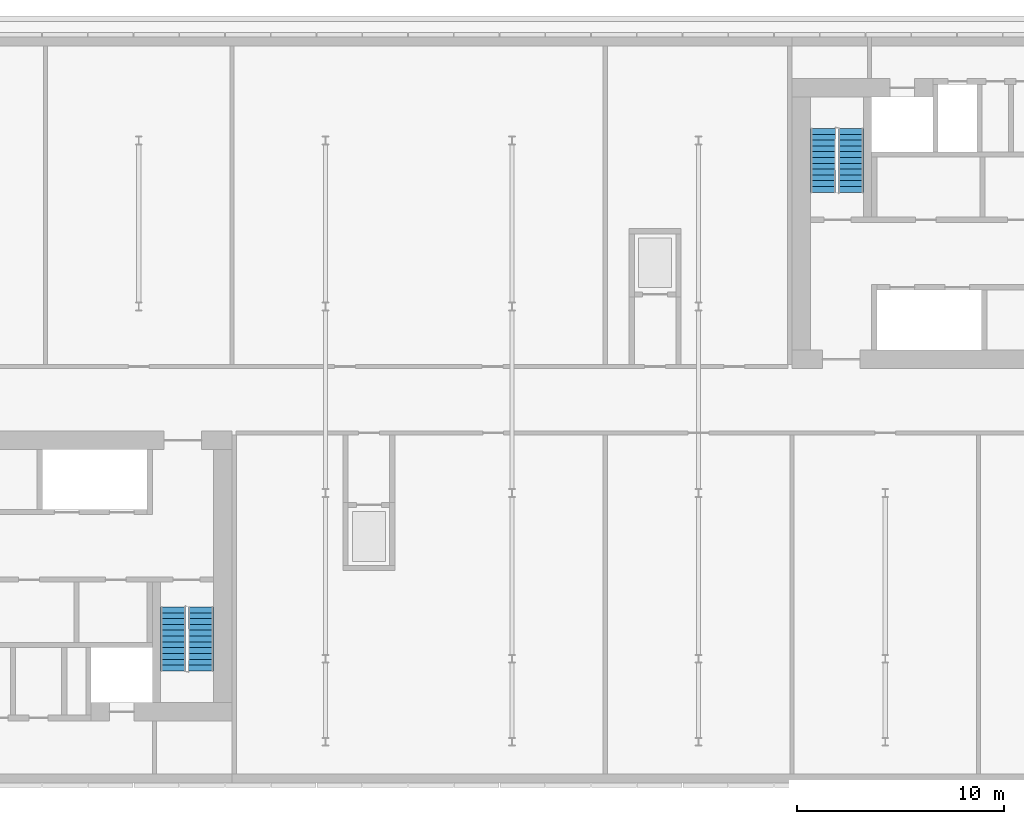
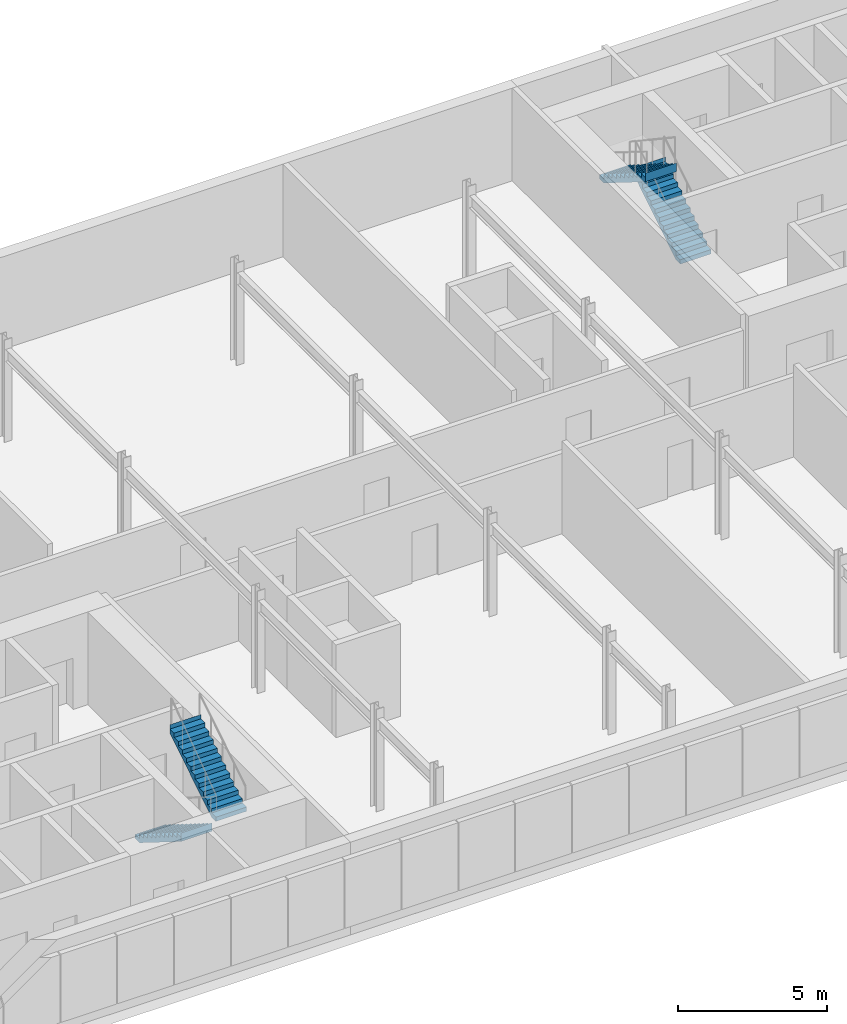
# One storey, part 8 of 10: 4 stair flights, 2 elements without a shape of their own.
"""IFC4 building model written with IfcOpenShell, lengths in metres."""

import ifcopenshell
import ifcopenshell.guid

model = None  # the IFC model being written
_history = None  # IfcOwnerHistory: only IFC2X3 demands one
_inside = {}  # id of a spatial element -> (the spatial element, [elements in it])
_under = {}  # id of a project, library or spatial element -> (it, [spatial elements below it])
_declared = {}  # id of a project -> (the project, [libraries it declares])
_typed = {}  # id of a type object -> (the type object, [elements of that type])
_made_of = {}  # id of a material, layer set ... -> (it, [elements and type objects made of it])


def new_model(schema):
    """Start an empty IFC model of exactly this schema.

    Asked for "IFC4X3", IfcOpenShell would pick the latest addendum, in which some entities
    have other attributes; the version numbers below select the first issue.
    IFC2X3 requires an IfcOwnerHistory on every rooted entity: one is made here for all.
    """
    global model, _history
    if schema == "IFC4X3":
        model = ifcopenshell.file(schema_version=(4, 3, 0, 0))
    else:
        model = ifcopenshell.file(schema=schema)
    _inside.clear()
    _under.clear()
    _declared.clear()
    _typed.clear()
    _made_of.clear()
    _history = None
    if model.schema == "IFC2X3":
        org = make("IfcOrganization", Name="unknown")
        user = make(
            "IfcPersonAndOrganization",
            ThePerson=make("IfcPerson", FamilyName="unknown"),
            TheOrganization=org,
        )
        app = make(
            "IfcApplication",
            ApplicationDeveloper=org,
            Version="unknown",
            ApplicationFullName="unknown",
            ApplicationIdentifier="unknown",
        )
        _history = make(
            "IfcOwnerHistory",
            OwningUser=user,
            OwningApplication=app,
            ChangeAction="ADDED",
            CreationDate=0,
        )
    return model


def make(cls, **values):
    """One entity of the class cls with the attributes given. An attribute that is None is left unset."""
    return model.create_entity(
        cls, **{name: value for name, value in values.items() if value is not None}
    )


def rooted(cls, **values):
    """An entity with a GlobalId (a new one), such as an element, a storey or a relation."""
    return make(cls, GlobalId=ifcopenshell.guid.new(), OwnerHistory=_history, **values)


def si_unit(unit_type, name, prefix=None):
    """IfcSIUnit, for example si_unit("LENGTHUNIT", "METRE", prefix="MILLI")."""
    return make("IfcSIUnit", UnitType=unit_type, Prefix=prefix, Name=name)


def assignment(units):
    """IfcUnitAssignment: the units of a project."""
    return None if units is None else make("IfcUnitAssignment", Units=units)


def point(xyz):
    """IfcCartesianPoint."""
    return None if xyz is None else make("IfcCartesianPoint", Coordinates=xyz)


def direction(xyz):
    """IfcDirection."""
    return None if xyz is None else make("IfcDirection", DirectionRatios=xyz)


def frame(location, z_axis=None, x_axis=None):
    """IfcAxis2Placement3D, a coordinate frame: its origin and axes. An axis left out is left unset."""
    return make(
        "IfcAxis2Placement3D",
        Location=point(location),
        Axis=direction(z_axis),
        RefDirection=direction(x_axis),
    )


def origin():
    """The frame at (0, 0, 0) with its axes left unset."""
    return frame((0.0, 0.0, 0.0))


def place(relative_to, where):
    """IfcLocalPlacement: puts the frame where relative to a parent placement (None: the world)."""
    return make(
        "IfcLocalPlacement", PlacementRelTo=relative_to, RelativePlacement=where
    )


def context(
    kind, dimensions, precision=None, world=None, true_north=None, identifier=None
):
    """IfcGeometricRepresentationContext, for example the 3D "Model" context."""
    return make(
        "IfcGeometricRepresentationContext",
        ContextIdentifier=identifier,
        ContextType=kind,
        CoordinateSpaceDimension=dimensions,
        Precision=precision,
        WorldCoordinateSystem=world,
        TrueNorth=true_north,
    )


def subcontext(parent, identifier, kind, view, scale=None):
    """IfcGeometricRepresentationSubContext, for example "Body" below "Model"."""
    return make(
        "IfcGeometricRepresentationSubContext",
        ContextIdentifier=identifier,
        ContextType=kind,
        ParentContext=parent,
        TargetScale=scale,
        TargetView=view,
    )


def project(units=None, contexts=None):
    """IfcProject with its units and contexts."""
    return rooted(
        "IfcProject",
        Name="project",
        RepresentationContexts=contexts,
        UnitsInContext=assignment(units),
    )


def spatial(cls, under=None, at=None, **own):
    """A site, building, storey or space (cls), placed at a placement, below another one or the project."""
    s = rooted(cls, ObjectPlacement=at, **own)
    if under is not None:
        _under.setdefault(under.id(), (under, []))[1].append(s)
    return s


def faces_of(points, faces, orient=None, outer=None):
    """IfcFace entities. A face is a list of loops; a loop is a list of indices into points, from 0.

    orient and outer hold one flag for each loop. By default every Orientation is true, the
    first loop of a face is its IfcFaceOuterBound and the others are IfcFaceBound.
    """
    made = []
    for i, loops in enumerate(faces):
        bounds = []
        for j, loop in enumerate(loops):
            is_outer = j == 0 if outer is None else outer[i][j]
            bounds.append(
                make(
                    "IfcFaceOuterBound" if is_outer else "IfcFaceBound",
                    Bound=make("IfcPolyLoop", Polygon=[points[k] for k in loop]),
                    Orientation=True if orient is None else orient[i][j],
                )
            )
        made.append(make("IfcFace", Bounds=bounds))
    return made


def faceted_brep(points, faces, orient=None, outer=None, voids=None):
    """IfcFacetedBrep: a solid bounded by flat faces; with voids (closed shells), ...WithVoids."""
    shared = [point(p) for p in points]
    hull = make("IfcClosedShell", CfsFaces=faces_of(shared, faces, orient, outer))
    if voids is None:
        return make("IfcFacetedBrep", Outer=hull)
    return make(
        "IfcFacetedBrepWithVoids",
        Outer=hull,
        Voids=[
            make(cls, CfsFaces=faces_of(shared, fs, o, b)) for cls, fs, o, b in voids
        ],
    )


def shape(context_of_items, identifier, shape_type, items):
    """IfcShapeRepresentation: the items that make up one representation, for example the "Body"."""
    return make(
        "IfcShapeRepresentation",
        ContextOfItems=context_of_items,
        RepresentationIdentifier=identifier,
        RepresentationType=shape_type,
        Items=items,
    )


def material(Name=None, Category=None):
    """IfcMaterial."""
    return make("IfcMaterial", Name=Name, Category=Category)


def made_of(thing, what):
    """Note that an element or type object is made of a material, layer set ...; save() writes the relation."""
    if what is not None:
        _made_of.setdefault(what.id(), (what, []))[1].append(thing)
    return thing


def type_object(cls, material=None, **own):
    """A type object (cls), such as IfcWallType, which elements share."""
    return made_of(rooted(cls, **own), material)


def element(
    cls,
    number,
    at=None,
    inside=None,
    cuts=None,
    type_object=None,
    material=None,
    context=None,
    identifier="Body",
    shape_type=None,
    held_by="IfcProductDefinitionShape",
    body=None,
    shapes=None,
    **own,
):
    """One element of the class cls, such as IfcWall. Its Tag is "e" and its number.

    at: its placement. inside: the storey or other place that contains it. cuts: it is an
    opening in that element (IfcRelVoidsElement). A single representation is given by context,
    identifier, shape_type and body (its items); several are given by shapes. held_by: the class
    of the entity that holds the representations. save() writes the other relations.
    """
    e = rooted(cls, Tag="e%d" % number, ObjectPlacement=at, **own)
    if body is not None:
        shapes = [shape(context, identifier, shape_type, body)]
    if shapes is not None:
        e.Representation = make(held_by, Representations=shapes)
    if inside is not None:
        _inside.setdefault(inside.id(), (inside, []))[1].append(e)
    if cuts is not None:
        rooted(
            "IfcRelVoidsElement", RelatingBuildingElement=cuts, RelatedOpeningElement=e
        )
    if type_object is not None:
        _typed.setdefault(type_object.id(), (type_object, []))[1].append(e)
    return made_of(e, material)


def aggregate(whole, parts):
    """IfcRelAggregates: a whole, such as a stair, and the parts it consists of."""
    return rooted("IfcRelAggregates", RelatingObject=whole, RelatedObjects=parts)


def save(model, path):
    """Write the relations noted so far, then the file.

    IfcRelAggregates (storeys below a building ...), IfcRelContainedInSpatialStructure (elements
    in a storey), IfcRelDefinesByType, IfcRelAssociatesMaterial and IfcRelDeclares: one each for
    every whole, place, type object, material and project.
    """
    for whole, parts in _under.values():
        aggregate(whole, parts)
    for where, things in _inside.values():
        rooted(
            "IfcRelContainedInSpatialStructure",
            RelatedElements=things,
            RelatingStructure=where,
        )
    for kind, things in _typed.values():
        rooted("IfcRelDefinesByType", RelatedObjects=things, RelatingType=kind)
    for what, things in _made_of.values():
        rooted("IfcRelAssociatesMaterial", RelatedObjects=things, RelatingMaterial=what)
    for by, libraries in _declared.values():
        rooted("IfcRelDeclares", RelatingContext=by, RelatedDefinitions=libraries)
    model.write(path)


model = new_model("IFC4")

# Units and contexts
model_context = context("Model", 3, precision=1e-05, world=origin(), true_north=direction((0.0, 1.0)))
body_context = subcontext(model_context, "Body", "Model", "MODEL_VIEW")
ifc_project = project(units=[si_unit("LENGTHUNIT", "METRE"), si_unit("AREAUNIT", "SQUARE_METRE"), si_unit("VOLUMEUNIT", "CUBIC_METRE"), si_unit("PLANEANGLEUNIT", "RADIAN"), si_unit("MASSUNIT", "GRAM", prefix="KILO")], contexts=[model_context])

# Site, building, storey
site_placement = place(None, origin())
site = spatial("IfcSite", under=ifc_project, at=site_placement, CompositionType="ELEMENT")
building_placement = place(site_placement, origin())
building = spatial("IfcBuilding", under=site, at=building_placement, Name="Kajstack Hotel Tower", CompositionType="ELEMENT")
storey_placement = place(building_placement, frame((0.0, 0.0, 313.60009765625)))
storey = spatial("IfcBuildingStorey", under=building, at=storey_placement, Name="L79", CompositionType="ELEMENT", Elevation=313.60009765625)

# Stair, stair flights
ifc_material = material(Name="Concrete C40/50", Category="concrete")
stair_type = type_object("IfcStairType", Name="Exit stair 1200", PredefinedType="HALF_TURN_STAIR", material=ifc_material)
stair_1_placement = place(storey_placement, origin())
stair_1 = element("IfcStair", 1, at=stair_1_placement, inside=storey, type_object=stair_type, Name="L79 stair W2", PredefinedType="HALF_TURN_STAIR")
stair_flight_type = type_object("IfcStairFlightType", Name="Exit stair flight 1200", PredefinedType="STRAIGHT", material=ifc_material)
stair_flight_1_placement = place(storey_placement, frame((-16.35009765625, -10.0, 0.0), z_axis=(0.0, 0.0, 1.0), x_axis=(0.0, -1.0, 0.0)))
stair_flight_1 = element("IfcStairFlight", 2, at=stair_flight_1_placement, type_object=stair_flight_type, Name="W2 flight 1", NumberOfRisers=12, NumberOfTreads=11, PredefinedType="STRAIGHT", RiserHeight=0.175, TreadLength=0.28, context=body_context, shape_type="Brep", body=[
    faceted_brep([(0.283447265625, -0.60009765625, 0.0), (3.08056640625, -0.60009765625, 1.748291015625), (3.08056640625, -0.60009765625, 2.10009765625), (3.080078125, -0.60009765625, 2.10009765625), (3.080078125, -0.60009765625, 1.925048828125), (2.800048828125, -0.60009765625, 1.925048828125), (2.800048828125, -0.60009765625, 1.75), (2.52001953125, -0.60009765625, 1.75), (2.52001953125, -0.60009765625, 1.574951171875), (2.239990234375, -0.60009765625, 1.574951171875), (2.239990234375, -0.60009765625, 1.39990234375), (1.9599609375, -0.60009765625, 1.39990234375), (1.9599609375, -0.60009765625, 1.22509765625), (1.679931640625, -0.60009765625, 1.22509765625), (1.679931640625, -0.60009765625, 1.050048828125), (1.39990234375, -0.60009765625, 1.050048828125), (1.39990234375, -0.60009765625, 0.875), (1.1201171875, -0.60009765625, 0.875), (1.1201171875, -0.60009765625, 0.699951171875), (0.840087890625, -0.60009765625, 0.699951171875), (0.840087890625, -0.60009765625, 0.52490234375), (0.56005859375, -0.60009765625, 0.52490234375), (0.56005859375, -0.60009765625, 0.35009765625), (0.280029296875, -0.60009765625, 0.35009765625), (0.280029296875, -0.60009765625, 0.175048828125), (-0.00048828125, -0.60009765625, 0.175048828125), (-0.00048828125, -0.60009765625, 0.0), (-0.00048828125, 0.60009765625, 0.0), (-0.00048828125, 0.60009765625, 0.175048828125), (0.280029296875, 0.60009765625, 0.175048828125), (0.280029296875, 0.60009765625, 0.35009765625), (0.56005859375, 0.60009765625, 0.35009765625), (0.56005859375, 0.60009765625, 0.52490234375), (0.840087890625, 0.60009765625, 0.52490234375), (0.840087890625, 0.60009765625, 0.699951171875), (1.1201171875, 0.60009765625, 0.699951171875), (1.1201171875, 0.60009765625, 0.875), (1.39990234375, 0.60009765625, 0.875), (1.39990234375, 0.60009765625, 1.050048828125), (1.679931640625, 0.60009765625, 1.050048828125), (1.679931640625, 0.60009765625, 1.22509765625), (1.9599609375, 0.60009765625, 1.22509765625), (1.9599609375, 0.60009765625, 1.39990234375), (2.239990234375, 0.60009765625, 1.39990234375), (2.239990234375, 0.60009765625, 1.574951171875), (2.52001953125, 0.60009765625, 1.574951171875), (2.52001953125, 0.60009765625, 1.75), (2.800048828125, 0.60009765625, 1.75), (2.800048828125, 0.60009765625, 1.925048828125), (3.080078125, 0.60009765625, 1.925048828125), (3.080078125, 0.60009765625, 2.10009765625), (3.08056640625, 0.60009765625, 2.10009765625), (3.08056640625, 0.60009765625, 1.748291015625), (0.283447265625, 0.60009765625, 0.0), (-0.00048828125, -0.300048828125, 0.175048828125), (-0.00048828125, 0.0, 0.175048828125), (-0.00048828125, 0.300048828125, 0.175048828125), (-0.00048828125, 0.300048828125, 0.0), (-0.00048828125, 0.0, 0.0), (-0.00048828125, -0.300048828125, 0.0), (0.280029296875, -0.300048828125, 0.175048828125), (0.280029296875, 0.0, 0.175048828125), (0.280029296875, 0.300048828125, 0.175048828125), (0.280029296875, -0.300048828125, 0.35009765625), (0.280029296875, 0.0, 0.35009765625), (0.280029296875, 0.300048828125, 0.35009765625), (0.56005859375, -0.300048828125, 0.35009765625), (0.56005859375, 0.0, 0.35009765625), (0.56005859375, 0.300048828125, 0.35009765625), (0.56005859375, -0.300048828125, 0.52490234375), (0.56005859375, 0.0, 0.52490234375), (0.56005859375, 0.300048828125, 0.52490234375), (0.840087890625, -0.300048828125, 0.52490234375), (0.840087890625, 0.0, 0.52490234375), (0.840087890625, 0.300048828125, 0.52490234375), (0.840087890625, -0.300048828125, 0.699951171875), (0.840087890625, 0.0, 0.699951171875), (0.840087890625, 0.300048828125, 0.699951171875), (1.1201171875, -0.300048828125, 0.699951171875), (1.1201171875, 0.0, 0.699951171875), (1.1201171875, 0.300048828125, 0.699951171875), (1.1201171875, -0.300048828125, 0.875), (1.1201171875, 0.0, 0.875), (1.1201171875, 0.300048828125, 0.875), (1.39990234375, -0.300048828125, 0.875), (1.39990234375, 0.0, 0.875), (1.39990234375, 0.300048828125, 0.875), (1.39990234375, -0.300048828125, 1.050048828125), (1.39990234375, 0.0, 1.050048828125), (1.39990234375, 0.300048828125, 1.050048828125), (1.679931640625, -0.300048828125, 1.050048828125), (1.679931640625, 0.0, 1.050048828125), (1.679931640625, 0.300048828125, 1.050048828125), (1.679931640625, -0.300048828125, 1.22509765625), (1.679931640625, 0.0, 1.22509765625), (1.679931640625, 0.300048828125, 1.22509765625), (1.9599609375, -0.300048828125, 1.22509765625), (1.9599609375, 0.0, 1.22509765625), (1.9599609375, 0.300048828125, 1.22509765625), (1.9599609375, -0.300048828125, 1.39990234375), (1.9599609375, 0.0, 1.39990234375), (1.9599609375, 0.300048828125, 1.39990234375), (2.239990234375, -0.300048828125, 1.39990234375), (2.239990234375, 0.0, 1.39990234375), (2.239990234375, 0.300048828125, 1.39990234375), (2.239990234375, -0.300048828125, 1.574951171875), (2.239990234375, 0.0, 1.574951171875), (2.239990234375, 0.300048828125, 1.574951171875), (2.52001953125, -0.300048828125, 1.574951171875), (2.52001953125, 0.0, 1.574951171875), (2.52001953125, 0.300048828125, 1.574951171875), (2.52001953125, -0.300048828125, 1.75), (2.52001953125, 0.0, 1.75), (2.52001953125, 0.300048828125, 1.75), (2.800048828125, -0.300048828125, 1.75), (2.800048828125, 0.0, 1.75), (2.800048828125, 0.300048828125, 1.75), (2.800048828125, -0.300048828125, 1.925048828125), (2.800048828125, 0.0, 1.925048828125), (2.800048828125, 0.300048828125, 1.925048828125), (3.080078125, -0.300048828125, 1.925048828125), (3.080078125, 0.0, 1.925048828125), (3.080078125, 0.300048828125, 1.925048828125), (3.080078125, -0.300048828125, 2.10009765625), (3.080078125, 0.0, 2.10009765625), (3.080078125, 0.300048828125, 2.10009765625), (3.08056640625, -0.300048828125, 2.10009765625), (3.08056640625, 0.0, 2.10009765625), (3.08056640625, 0.300048828125, 2.10009765625), (3.08056640625, -0.300048828125, 1.748291015625), (3.08056640625, 0.0, 1.748291015625), (3.08056640625, 0.300048828125, 1.748291015625), (0.283447265625, -0.300048828125, 0.0), (0.283447265625, 0.0, 0.0), (0.283447265625, 0.300048828125, 0.0)], [[[0, 1, 2, 3, 4, 5, 6, 7, 8, 9, 10, 11, 12, 13, 14, 15, 16, 17, 18, 19, 20, 21, 22, 23, 24, 25, 26]], [[27, 28, 29, 30, 31, 32, 33, 34, 35, 36, 37, 38, 39, 40, 41, 42, 43, 44, 45, 46, 47, 48, 49, 50, 51, 52, 53]], [[25, 54, 55, 56, 28, 27, 57, 58, 59, 26]], [[24, 60, 61, 62, 29, 28, 56, 55, 54, 25]], [[23, 63, 64, 65, 30, 29, 62, 61, 60, 24]], [[22, 66, 67, 68, 31, 30, 65, 64, 63, 23]], [[21, 69, 70, 71, 32, 31, 68, 67, 66, 22]], [[20, 72, 73, 74, 33, 32, 71, 70, 69, 21]], [[19, 75, 76, 77, 34, 33, 74, 73, 72, 20]], [[18, 78, 79, 80, 35, 34, 77, 76, 75, 19]], [[17, 81, 82, 83, 36, 35, 80, 79, 78, 18]], [[16, 84, 85, 86, 37, 36, 83, 82, 81, 17]], [[15, 87, 88, 89, 38, 37, 86, 85, 84, 16]], [[14, 90, 91, 92, 39, 38, 89, 88, 87, 15]], [[13, 93, 94, 95, 40, 39, 92, 91, 90, 14]], [[12, 96, 97, 98, 41, 40, 95, 94, 93, 13]], [[11, 99, 100, 101, 42, 41, 98, 97, 96, 12]], [[10, 102, 103, 104, 43, 42, 101, 100, 99, 11]], [[9, 105, 106, 107, 44, 43, 104, 103, 102, 10]], [[8, 108, 109, 110, 45, 44, 107, 106, 105, 9]], [[7, 111, 112, 113, 46, 45, 110, 109, 108, 8]], [[6, 114, 115, 116, 47, 46, 113, 112, 111, 7]], [[5, 117, 118, 119, 48, 47, 116, 115, 114, 6]], [[4, 120, 121, 122, 49, 48, 119, 118, 117, 5]], [[3, 123, 124, 125, 50, 49, 122, 121, 120, 4]], [[2, 126, 127, 128, 51, 50, 125, 124, 123, 3]], [[1, 129, 130, 131, 52, 51, 128, 127, 126, 2]], [[0, 132, 133, 134, 53, 52, 131, 130, 129, 1]], [[26, 59, 58, 57, 27, 53, 134, 133, 132, 0]]]),
])
stair_flight_2_placement = place(storey_placement, frame((-15.0, -13.080078125, 2.099853515625), z_axis=(0.0, 0.0, 1.0), x_axis=(0.0, 1.0, 0.0)))
stair_flight_2 = element("IfcStairFlight", 3, at=stair_flight_2_placement, type_object=stair_flight_type, Name="W2 flight 2", NumberOfRisers=12, NumberOfTreads=11, PredefinedType="STRAIGHT", RiserHeight=0.175, TreadLength=0.28, context=body_context, shape_type="Brep", body=[
    faceted_brep([(0.283447265625, -0.60009765625, 0.0), (3.08056640625, -0.60009765625, 1.748291015625), (3.08056640625, -0.60009765625, 2.10009765625), (3.080078125, -0.60009765625, 2.10009765625), (3.080078125, -0.60009765625, 1.925048828125), (2.800048828125, -0.60009765625, 1.925048828125), (2.800048828125, -0.60009765625, 1.75), (2.52001953125, -0.60009765625, 1.75), (2.52001953125, -0.60009765625, 1.574951171875), (2.239990234375, -0.60009765625, 1.574951171875), (2.239990234375, -0.60009765625, 1.39990234375), (1.9599609375, -0.60009765625, 1.39990234375), (1.9599609375, -0.60009765625, 1.22509765625), (1.679931640625, -0.60009765625, 1.22509765625), (1.679931640625, -0.60009765625, 1.050048828125), (1.39990234375, -0.60009765625, 1.050048828125), (1.39990234375, -0.60009765625, 0.875), (1.1201171875, -0.60009765625, 0.875), (1.1201171875, -0.60009765625, 0.699951171875), (0.840087890625, -0.60009765625, 0.699951171875), (0.840087890625, -0.60009765625, 0.52490234375), (0.56005859375, -0.60009765625, 0.52490234375), (0.56005859375, -0.60009765625, 0.35009765625), (0.280029296875, -0.60009765625, 0.35009765625), (0.280029296875, -0.60009765625, 0.175048828125), (-0.00048828125, -0.60009765625, 0.175048828125), (-0.00048828125, -0.60009765625, 0.0), (-0.00048828125, 0.60009765625, 0.0), (-0.00048828125, 0.60009765625, 0.175048828125), (0.280029296875, 0.60009765625, 0.175048828125), (0.280029296875, 0.60009765625, 0.35009765625), (0.56005859375, 0.60009765625, 0.35009765625), (0.56005859375, 0.60009765625, 0.52490234375), (0.840087890625, 0.60009765625, 0.52490234375), (0.840087890625, 0.60009765625, 0.699951171875), (1.1201171875, 0.60009765625, 0.699951171875), (1.1201171875, 0.60009765625, 0.875), (1.39990234375, 0.60009765625, 0.875), (1.39990234375, 0.60009765625, 1.050048828125), (1.679931640625, 0.60009765625, 1.050048828125), (1.679931640625, 0.60009765625, 1.22509765625), (1.9599609375, 0.60009765625, 1.22509765625), (1.9599609375, 0.60009765625, 1.39990234375), (2.239990234375, 0.60009765625, 1.39990234375), (2.239990234375, 0.60009765625, 1.574951171875), (2.52001953125, 0.60009765625, 1.574951171875), (2.52001953125, 0.60009765625, 1.75), (2.800048828125, 0.60009765625, 1.75), (2.800048828125, 0.60009765625, 1.925048828125), (3.080078125, 0.60009765625, 1.925048828125), (3.080078125, 0.60009765625, 2.10009765625), (3.08056640625, 0.60009765625, 2.10009765625), (3.08056640625, 0.60009765625, 1.748291015625), (0.283447265625, 0.60009765625, 0.0), (-0.00048828125, -0.300048828125, 0.175048828125), (-0.00048828125, 0.0, 0.175048828125), (-0.00048828125, 0.300048828125, 0.175048828125), (-0.00048828125, 0.300048828125, 0.0), (-0.00048828125, 0.0, 0.0), (-0.00048828125, -0.300048828125, 0.0), (0.280029296875, -0.300048828125, 0.175048828125), (0.280029296875, 0.0, 0.175048828125), (0.280029296875, 0.300048828125, 0.175048828125), (0.280029296875, -0.300048828125, 0.35009765625), (0.280029296875, 0.0, 0.35009765625), (0.280029296875, 0.300048828125, 0.35009765625), (0.56005859375, -0.300048828125, 0.35009765625), (0.56005859375, 0.0, 0.35009765625), (0.56005859375, 0.300048828125, 0.35009765625), (0.56005859375, -0.300048828125, 0.52490234375), (0.56005859375, 0.0, 0.52490234375), (0.56005859375, 0.300048828125, 0.52490234375), (0.840087890625, -0.300048828125, 0.52490234375), (0.840087890625, 0.0, 0.52490234375), (0.840087890625, 0.300048828125, 0.52490234375), (0.840087890625, -0.300048828125, 0.699951171875), (0.840087890625, 0.0, 0.699951171875), (0.840087890625, 0.300048828125, 0.699951171875), (1.1201171875, -0.300048828125, 0.699951171875), (1.1201171875, 0.0, 0.699951171875), (1.1201171875, 0.300048828125, 0.699951171875), (1.1201171875, -0.300048828125, 0.875), (1.1201171875, 0.0, 0.875), (1.1201171875, 0.300048828125, 0.875), (1.39990234375, -0.300048828125, 0.875), (1.39990234375, 0.0, 0.875), (1.39990234375, 0.300048828125, 0.875), (1.39990234375, -0.300048828125, 1.050048828125), (1.39990234375, 0.0, 1.050048828125), (1.39990234375, 0.300048828125, 1.050048828125), (1.679931640625, -0.300048828125, 1.050048828125), (1.679931640625, 0.0, 1.050048828125), (1.679931640625, 0.300048828125, 1.050048828125), (1.679931640625, -0.300048828125, 1.22509765625), (1.679931640625, 0.0, 1.22509765625), (1.679931640625, 0.300048828125, 1.22509765625), (1.9599609375, -0.300048828125, 1.22509765625), (1.9599609375, 0.0, 1.22509765625), (1.9599609375, 0.300048828125, 1.22509765625), (1.9599609375, -0.300048828125, 1.39990234375), (1.9599609375, 0.0, 1.39990234375), (1.9599609375, 0.300048828125, 1.39990234375), (2.239990234375, -0.300048828125, 1.39990234375), (2.239990234375, 0.0, 1.39990234375), (2.239990234375, 0.300048828125, 1.39990234375), (2.239990234375, -0.300048828125, 1.574951171875), (2.239990234375, 0.0, 1.574951171875), (2.239990234375, 0.300048828125, 1.574951171875), (2.52001953125, -0.300048828125, 1.574951171875), (2.52001953125, 0.0, 1.574951171875), (2.52001953125, 0.300048828125, 1.574951171875), (2.52001953125, -0.300048828125, 1.75), (2.52001953125, 0.0, 1.75), (2.52001953125, 0.300048828125, 1.75), (2.800048828125, -0.300048828125, 1.75), (2.800048828125, 0.0, 1.75), (2.800048828125, 0.300048828125, 1.75), (2.800048828125, -0.300048828125, 1.925048828125), (2.800048828125, 0.0, 1.925048828125), (2.800048828125, 0.300048828125, 1.925048828125), (3.080078125, -0.300048828125, 1.925048828125), (3.080078125, 0.0, 1.925048828125), (3.080078125, 0.300048828125, 1.925048828125), (3.080078125, -0.300048828125, 2.10009765625), (3.080078125, 0.0, 2.10009765625), (3.080078125, 0.300048828125, 2.10009765625), (3.08056640625, -0.300048828125, 2.10009765625), (3.08056640625, 0.0, 2.10009765625), (3.08056640625, 0.300048828125, 2.10009765625), (3.08056640625, -0.300048828125, 1.748291015625), (3.08056640625, 0.0, 1.748291015625), (3.08056640625, 0.300048828125, 1.748291015625), (0.283447265625, -0.300048828125, 0.0), (0.283447265625, 0.0, 0.0), (0.283447265625, 0.300048828125, 0.0)], [[[0, 1, 2, 3, 4, 5, 6, 7, 8, 9, 10, 11, 12, 13, 14, 15, 16, 17, 18, 19, 20, 21, 22, 23, 24, 25, 26]], [[27, 28, 29, 30, 31, 32, 33, 34, 35, 36, 37, 38, 39, 40, 41, 42, 43, 44, 45, 46, 47, 48, 49, 50, 51, 52, 53]], [[25, 54, 55, 56, 28, 27, 57, 58, 59, 26]], [[24, 60, 61, 62, 29, 28, 56, 55, 54, 25]], [[23, 63, 64, 65, 30, 29, 62, 61, 60, 24]], [[22, 66, 67, 68, 31, 30, 65, 64, 63, 23]], [[21, 69, 70, 71, 32, 31, 68, 67, 66, 22]], [[20, 72, 73, 74, 33, 32, 71, 70, 69, 21]], [[19, 75, 76, 77, 34, 33, 74, 73, 72, 20]], [[18, 78, 79, 80, 35, 34, 77, 76, 75, 19]], [[17, 81, 82, 83, 36, 35, 80, 79, 78, 18]], [[16, 84, 85, 86, 37, 36, 83, 82, 81, 17]], [[15, 87, 88, 89, 38, 37, 86, 85, 84, 16]], [[14, 90, 91, 92, 39, 38, 89, 88, 87, 15]], [[13, 93, 94, 95, 40, 39, 92, 91, 90, 14]], [[12, 96, 97, 98, 41, 40, 95, 94, 93, 13]], [[11, 99, 100, 101, 42, 41, 98, 97, 96, 12]], [[10, 102, 103, 104, 43, 42, 101, 100, 99, 11]], [[9, 105, 106, 107, 44, 43, 104, 103, 102, 10]], [[8, 108, 109, 110, 45, 44, 107, 106, 105, 9]], [[7, 111, 112, 113, 46, 45, 110, 109, 108, 8]], [[6, 114, 115, 116, 47, 46, 113, 112, 111, 7]], [[5, 117, 118, 119, 48, 47, 116, 115, 114, 6]], [[4, 120, 121, 122, 49, 48, 119, 118, 117, 5]], [[3, 123, 124, 125, 50, 49, 122, 121, 120, 4]], [[2, 126, 127, 128, 51, 50, 125, 124, 123, 3]], [[1, 129, 130, 131, 52, 51, 128, 127, 126, 2]], [[0, 132, 133, 134, 53, 52, 131, 130, 129, 1]], [[26, 59, 58, 57, 27, 53, 134, 133, 132, 0]]]),
])
aggregate(stair_1, [stair_flight_1, stair_flight_2])

stair_2_placement = place(storey_placement, origin())
stair_2 = element("IfcStair", 4, at=stair_2_placement, inside=storey, type_object=stair_type, Name="L79 stair E2", PredefinedType="HALF_TURN_STAIR")
stair_flight_3_placement = place(storey_placement, frame((16.35009765625, 10.0, 0.0), z_axis=(0.0, 0.0, 1.0), x_axis=(0.0, 1.0, 0.0)))
stair_flight_3 = element("IfcStairFlight", 5, at=stair_flight_3_placement, type_object=stair_flight_type, Name="E2 flight 1", NumberOfRisers=12, NumberOfTreads=11, PredefinedType="STRAIGHT", RiserHeight=0.175, TreadLength=0.28, context=body_context, shape_type="Brep", body=[
    faceted_brep([(0.283447265625, -0.60009765625, 0.0), (3.08056640625, -0.60009765625, 1.748291015625), (3.08056640625, -0.60009765625, 2.10009765625), (3.080078125, -0.60009765625, 2.10009765625), (3.080078125, -0.60009765625, 1.925048828125), (2.800048828125, -0.60009765625, 1.925048828125), (2.800048828125, -0.60009765625, 1.75), (2.52001953125, -0.60009765625, 1.75), (2.52001953125, -0.60009765625, 1.574951171875), (2.239990234375, -0.60009765625, 1.574951171875), (2.239990234375, -0.60009765625, 1.39990234375), (1.9599609375, -0.60009765625, 1.39990234375), (1.9599609375, -0.60009765625, 1.22509765625), (1.679931640625, -0.60009765625, 1.22509765625), (1.679931640625, -0.60009765625, 1.050048828125), (1.39990234375, -0.60009765625, 1.050048828125), (1.39990234375, -0.60009765625, 0.875), (1.1201171875, -0.60009765625, 0.875), (1.1201171875, -0.60009765625, 0.699951171875), (0.840087890625, -0.60009765625, 0.699951171875), (0.840087890625, -0.60009765625, 0.52490234375), (0.56005859375, -0.60009765625, 0.52490234375), (0.56005859375, -0.60009765625, 0.35009765625), (0.280029296875, -0.60009765625, 0.35009765625), (0.280029296875, -0.60009765625, 0.175048828125), (-0.00048828125, -0.60009765625, 0.175048828125), (-0.00048828125, -0.60009765625, 0.0), (-0.00048828125, 0.60009765625, 0.0), (-0.00048828125, 0.60009765625, 0.175048828125), (0.280029296875, 0.60009765625, 0.175048828125), (0.280029296875, 0.60009765625, 0.35009765625), (0.56005859375, 0.60009765625, 0.35009765625), (0.56005859375, 0.60009765625, 0.52490234375), (0.840087890625, 0.60009765625, 0.52490234375), (0.840087890625, 0.60009765625, 0.699951171875), (1.1201171875, 0.60009765625, 0.699951171875), (1.1201171875, 0.60009765625, 0.875), (1.39990234375, 0.60009765625, 0.875), (1.39990234375, 0.60009765625, 1.050048828125), (1.679931640625, 0.60009765625, 1.050048828125), (1.679931640625, 0.60009765625, 1.22509765625), (1.9599609375, 0.60009765625, 1.22509765625), (1.9599609375, 0.60009765625, 1.39990234375), (2.239990234375, 0.60009765625, 1.39990234375), (2.239990234375, 0.60009765625, 1.574951171875), (2.52001953125, 0.60009765625, 1.574951171875), (2.52001953125, 0.60009765625, 1.75), (2.800048828125, 0.60009765625, 1.75), (2.800048828125, 0.60009765625, 1.925048828125), (3.080078125, 0.60009765625, 1.925048828125), (3.080078125, 0.60009765625, 2.10009765625), (3.08056640625, 0.60009765625, 2.10009765625), (3.08056640625, 0.60009765625, 1.748291015625), (0.283447265625, 0.60009765625, 0.0), (-0.00048828125, -0.300048828125, 0.175048828125), (-0.00048828125, 0.0, 0.175048828125), (-0.00048828125, 0.300048828125, 0.175048828125), (-0.00048828125, 0.300048828125, 0.0), (-0.00048828125, 0.0, 0.0), (-0.00048828125, -0.300048828125, 0.0), (0.280029296875, -0.300048828125, 0.175048828125), (0.280029296875, 0.0, 0.175048828125), (0.280029296875, 0.300048828125, 0.175048828125), (0.280029296875, -0.300048828125, 0.35009765625), (0.280029296875, 0.0, 0.35009765625), (0.280029296875, 0.300048828125, 0.35009765625), (0.56005859375, -0.300048828125, 0.35009765625), (0.56005859375, 0.0, 0.35009765625), (0.56005859375, 0.300048828125, 0.35009765625), (0.56005859375, -0.300048828125, 0.52490234375), (0.56005859375, 0.0, 0.52490234375), (0.56005859375, 0.300048828125, 0.52490234375), (0.840087890625, -0.300048828125, 0.52490234375), (0.840087890625, 0.0, 0.52490234375), (0.840087890625, 0.300048828125, 0.52490234375), (0.840087890625, -0.300048828125, 0.699951171875), (0.840087890625, 0.0, 0.699951171875), (0.840087890625, 0.300048828125, 0.699951171875), (1.1201171875, -0.300048828125, 0.699951171875), (1.1201171875, 0.0, 0.699951171875), (1.1201171875, 0.300048828125, 0.699951171875), (1.1201171875, -0.300048828125, 0.875), (1.1201171875, 0.0, 0.875), (1.1201171875, 0.300048828125, 0.875), (1.39990234375, -0.300048828125, 0.875), (1.39990234375, 0.0, 0.875), (1.39990234375, 0.300048828125, 0.875), (1.39990234375, -0.300048828125, 1.050048828125), (1.39990234375, 0.0, 1.050048828125), (1.39990234375, 0.300048828125, 1.050048828125), (1.679931640625, -0.300048828125, 1.050048828125), (1.679931640625, 0.0, 1.050048828125), (1.679931640625, 0.300048828125, 1.050048828125), (1.679931640625, -0.300048828125, 1.22509765625), (1.679931640625, 0.0, 1.22509765625), (1.679931640625, 0.300048828125, 1.22509765625), (1.9599609375, -0.300048828125, 1.22509765625), (1.9599609375, 0.0, 1.22509765625), (1.9599609375, 0.300048828125, 1.22509765625), (1.9599609375, -0.300048828125, 1.39990234375), (1.9599609375, 0.0, 1.39990234375), (1.9599609375, 0.300048828125, 1.39990234375), (2.239990234375, -0.300048828125, 1.39990234375), (2.239990234375, 0.0, 1.39990234375), (2.239990234375, 0.300048828125, 1.39990234375), (2.239990234375, -0.300048828125, 1.574951171875), (2.239990234375, 0.0, 1.574951171875), (2.239990234375, 0.300048828125, 1.574951171875), (2.52001953125, -0.300048828125, 1.574951171875), (2.52001953125, 0.0, 1.574951171875), (2.52001953125, 0.300048828125, 1.574951171875), (2.52001953125, -0.300048828125, 1.75), (2.52001953125, 0.0, 1.75), (2.52001953125, 0.300048828125, 1.75), (2.800048828125, -0.300048828125, 1.75), (2.800048828125, 0.0, 1.75), (2.800048828125, 0.300048828125, 1.75), (2.800048828125, -0.300048828125, 1.925048828125), (2.800048828125, 0.0, 1.925048828125), (2.800048828125, 0.300048828125, 1.925048828125), (3.080078125, -0.300048828125, 1.925048828125), (3.080078125, 0.0, 1.925048828125), (3.080078125, 0.300048828125, 1.925048828125), (3.080078125, -0.300048828125, 2.10009765625), (3.080078125, 0.0, 2.10009765625), (3.080078125, 0.300048828125, 2.10009765625), (3.08056640625, -0.300048828125, 2.10009765625), (3.08056640625, 0.0, 2.10009765625), (3.08056640625, 0.300048828125, 2.10009765625), (3.08056640625, -0.300048828125, 1.748291015625), (3.08056640625, 0.0, 1.748291015625), (3.08056640625, 0.300048828125, 1.748291015625), (0.283447265625, -0.300048828125, 0.0), (0.283447265625, 0.0, 0.0), (0.283447265625, 0.300048828125, 0.0)], [[[0, 1, 2, 3, 4, 5, 6, 7, 8, 9, 10, 11, 12, 13, 14, 15, 16, 17, 18, 19, 20, 21, 22, 23, 24, 25, 26]], [[27, 28, 29, 30, 31, 32, 33, 34, 35, 36, 37, 38, 39, 40, 41, 42, 43, 44, 45, 46, 47, 48, 49, 50, 51, 52, 53]], [[25, 54, 55, 56, 28, 27, 57, 58, 59, 26]], [[24, 60, 61, 62, 29, 28, 56, 55, 54, 25]], [[23, 63, 64, 65, 30, 29, 62, 61, 60, 24]], [[22, 66, 67, 68, 31, 30, 65, 64, 63, 23]], [[21, 69, 70, 71, 32, 31, 68, 67, 66, 22]], [[20, 72, 73, 74, 33, 32, 71, 70, 69, 21]], [[19, 75, 76, 77, 34, 33, 74, 73, 72, 20]], [[18, 78, 79, 80, 35, 34, 77, 76, 75, 19]], [[17, 81, 82, 83, 36, 35, 80, 79, 78, 18]], [[16, 84, 85, 86, 37, 36, 83, 82, 81, 17]], [[15, 87, 88, 89, 38, 37, 86, 85, 84, 16]], [[14, 90, 91, 92, 39, 38, 89, 88, 87, 15]], [[13, 93, 94, 95, 40, 39, 92, 91, 90, 14]], [[12, 96, 97, 98, 41, 40, 95, 94, 93, 13]], [[11, 99, 100, 101, 42, 41, 98, 97, 96, 12]], [[10, 102, 103, 104, 43, 42, 101, 100, 99, 11]], [[9, 105, 106, 107, 44, 43, 104, 103, 102, 10]], [[8, 108, 109, 110, 45, 44, 107, 106, 105, 9]], [[7, 111, 112, 113, 46, 45, 110, 109, 108, 8]], [[6, 114, 115, 116, 47, 46, 113, 112, 111, 7]], [[5, 117, 118, 119, 48, 47, 116, 115, 114, 6]], [[4, 120, 121, 122, 49, 48, 119, 118, 117, 5]], [[3, 123, 124, 125, 50, 49, 122, 121, 120, 4]], [[2, 126, 127, 128, 51, 50, 125, 124, 123, 3]], [[1, 129, 130, 131, 52, 51, 128, 127, 126, 2]], [[0, 132, 133, 134, 53, 52, 131, 130, 129, 1]], [[26, 59, 58, 57, 27, 53, 134, 133, 132, 0]]]),
])
stair_flight_4_placement = place(storey_placement, frame((15.0, 13.080078125, 2.099853515625), z_axis=(0.0, 0.0, 1.0), x_axis=(0.0, -1.0, 0.0)))
stair_flight_4 = element("IfcStairFlight", 6, at=stair_flight_4_placement, type_object=stair_flight_type, Name="E2 flight 2", NumberOfRisers=12, NumberOfTreads=11, PredefinedType="STRAIGHT", RiserHeight=0.175, TreadLength=0.28, context=body_context, shape_type="Brep", body=[
    faceted_brep([(0.283447265625, -0.60009765625, 0.0), (3.08056640625, -0.60009765625, 1.748291015625), (3.08056640625, -0.60009765625, 2.10009765625), (3.080078125, -0.60009765625, 2.10009765625), (3.080078125, -0.60009765625, 1.925048828125), (2.800048828125, -0.60009765625, 1.925048828125), (2.800048828125, -0.60009765625, 1.75), (2.52001953125, -0.60009765625, 1.75), (2.52001953125, -0.60009765625, 1.574951171875), (2.239990234375, -0.60009765625, 1.574951171875), (2.239990234375, -0.60009765625, 1.39990234375), (1.9599609375, -0.60009765625, 1.39990234375), (1.9599609375, -0.60009765625, 1.22509765625), (1.679931640625, -0.60009765625, 1.22509765625), (1.679931640625, -0.60009765625, 1.050048828125), (1.39990234375, -0.60009765625, 1.050048828125), (1.39990234375, -0.60009765625, 0.875), (1.1201171875, -0.60009765625, 0.875), (1.1201171875, -0.60009765625, 0.699951171875), (0.840087890625, -0.60009765625, 0.699951171875), (0.840087890625, -0.60009765625, 0.52490234375), (0.56005859375, -0.60009765625, 0.52490234375), (0.56005859375, -0.60009765625, 0.35009765625), (0.280029296875, -0.60009765625, 0.35009765625), (0.280029296875, -0.60009765625, 0.175048828125), (-0.00048828125, -0.60009765625, 0.175048828125), (-0.00048828125, -0.60009765625, 0.0), (-0.00048828125, 0.60009765625, 0.0), (-0.00048828125, 0.60009765625, 0.175048828125), (0.280029296875, 0.60009765625, 0.175048828125), (0.280029296875, 0.60009765625, 0.35009765625), (0.56005859375, 0.60009765625, 0.35009765625), (0.56005859375, 0.60009765625, 0.52490234375), (0.840087890625, 0.60009765625, 0.52490234375), (0.840087890625, 0.60009765625, 0.699951171875), (1.1201171875, 0.60009765625, 0.699951171875), (1.1201171875, 0.60009765625, 0.875), (1.39990234375, 0.60009765625, 0.875), (1.39990234375, 0.60009765625, 1.050048828125), (1.679931640625, 0.60009765625, 1.050048828125), (1.679931640625, 0.60009765625, 1.22509765625), (1.9599609375, 0.60009765625, 1.22509765625), (1.9599609375, 0.60009765625, 1.39990234375), (2.239990234375, 0.60009765625, 1.39990234375), (2.239990234375, 0.60009765625, 1.574951171875), (2.52001953125, 0.60009765625, 1.574951171875), (2.52001953125, 0.60009765625, 1.75), (2.800048828125, 0.60009765625, 1.75), (2.800048828125, 0.60009765625, 1.925048828125), (3.080078125, 0.60009765625, 1.925048828125), (3.080078125, 0.60009765625, 2.10009765625), (3.08056640625, 0.60009765625, 2.10009765625), (3.08056640625, 0.60009765625, 1.748291015625), (0.283447265625, 0.60009765625, 0.0), (-0.00048828125, -0.300048828125, 0.175048828125), (-0.00048828125, 0.0, 0.175048828125), (-0.00048828125, 0.300048828125, 0.175048828125), (-0.00048828125, 0.300048828125, 0.0), (-0.00048828125, 0.0, 0.0), (-0.00048828125, -0.300048828125, 0.0), (0.280029296875, -0.300048828125, 0.175048828125), (0.280029296875, 0.0, 0.175048828125), (0.280029296875, 0.300048828125, 0.175048828125), (0.280029296875, -0.300048828125, 0.35009765625), (0.280029296875, 0.0, 0.35009765625), (0.280029296875, 0.300048828125, 0.35009765625), (0.56005859375, -0.300048828125, 0.35009765625), (0.56005859375, 0.0, 0.35009765625), (0.56005859375, 0.300048828125, 0.35009765625), (0.56005859375, -0.300048828125, 0.52490234375), (0.56005859375, 0.0, 0.52490234375), (0.56005859375, 0.300048828125, 0.52490234375), (0.840087890625, -0.300048828125, 0.52490234375), (0.840087890625, 0.0, 0.52490234375), (0.840087890625, 0.300048828125, 0.52490234375), (0.840087890625, -0.300048828125, 0.699951171875), (0.840087890625, 0.0, 0.699951171875), (0.840087890625, 0.300048828125, 0.699951171875), (1.1201171875, -0.300048828125, 0.699951171875), (1.1201171875, 0.0, 0.699951171875), (1.1201171875, 0.300048828125, 0.699951171875), (1.1201171875, -0.300048828125, 0.875), (1.1201171875, 0.0, 0.875), (1.1201171875, 0.300048828125, 0.875), (1.39990234375, -0.300048828125, 0.875), (1.39990234375, 0.0, 0.875), (1.39990234375, 0.300048828125, 0.875), (1.39990234375, -0.300048828125, 1.050048828125), (1.39990234375, 0.0, 1.050048828125), (1.39990234375, 0.300048828125, 1.050048828125), (1.679931640625, -0.300048828125, 1.050048828125), (1.679931640625, 0.0, 1.050048828125), (1.679931640625, 0.300048828125, 1.050048828125), (1.679931640625, -0.300048828125, 1.22509765625), (1.679931640625, 0.0, 1.22509765625), (1.679931640625, 0.300048828125, 1.22509765625), (1.9599609375, -0.300048828125, 1.22509765625), (1.9599609375, 0.0, 1.22509765625), (1.9599609375, 0.300048828125, 1.22509765625), (1.9599609375, -0.300048828125, 1.39990234375), (1.9599609375, 0.0, 1.39990234375), (1.9599609375, 0.300048828125, 1.39990234375), (2.239990234375, -0.300048828125, 1.39990234375), (2.239990234375, 0.0, 1.39990234375), (2.239990234375, 0.300048828125, 1.39990234375), (2.239990234375, -0.300048828125, 1.574951171875), (2.239990234375, 0.0, 1.574951171875), (2.239990234375, 0.300048828125, 1.574951171875), (2.52001953125, -0.300048828125, 1.574951171875), (2.52001953125, 0.0, 1.574951171875), (2.52001953125, 0.300048828125, 1.574951171875), (2.52001953125, -0.300048828125, 1.75), (2.52001953125, 0.0, 1.75), (2.52001953125, 0.300048828125, 1.75), (2.800048828125, -0.300048828125, 1.75), (2.800048828125, 0.0, 1.75), (2.800048828125, 0.300048828125, 1.75), (2.800048828125, -0.300048828125, 1.925048828125), (2.800048828125, 0.0, 1.925048828125), (2.800048828125, 0.300048828125, 1.925048828125), (3.080078125, -0.300048828125, 1.925048828125), (3.080078125, 0.0, 1.925048828125), (3.080078125, 0.300048828125, 1.925048828125), (3.080078125, -0.300048828125, 2.10009765625), (3.080078125, 0.0, 2.10009765625), (3.080078125, 0.300048828125, 2.10009765625), (3.08056640625, -0.300048828125, 2.10009765625), (3.08056640625, 0.0, 2.10009765625), (3.08056640625, 0.300048828125, 2.10009765625), (3.08056640625, -0.300048828125, 1.748291015625), (3.08056640625, 0.0, 1.748291015625), (3.08056640625, 0.300048828125, 1.748291015625), (0.283447265625, -0.300048828125, 0.0), (0.283447265625, 0.0, 0.0), (0.283447265625, 0.300048828125, 0.0)], [[[0, 1, 2, 3, 4, 5, 6, 7, 8, 9, 10, 11, 12, 13, 14, 15, 16, 17, 18, 19, 20, 21, 22, 23, 24, 25, 26]], [[27, 28, 29, 30, 31, 32, 33, 34, 35, 36, 37, 38, 39, 40, 41, 42, 43, 44, 45, 46, 47, 48, 49, 50, 51, 52, 53]], [[25, 54, 55, 56, 28, 27, 57, 58, 59, 26]], [[24, 60, 61, 62, 29, 28, 56, 55, 54, 25]], [[23, 63, 64, 65, 30, 29, 62, 61, 60, 24]], [[22, 66, 67, 68, 31, 30, 65, 64, 63, 23]], [[21, 69, 70, 71, 32, 31, 68, 67, 66, 22]], [[20, 72, 73, 74, 33, 32, 71, 70, 69, 21]], [[19, 75, 76, 77, 34, 33, 74, 73, 72, 20]], [[18, 78, 79, 80, 35, 34, 77, 76, 75, 19]], [[17, 81, 82, 83, 36, 35, 80, 79, 78, 18]], [[16, 84, 85, 86, 37, 36, 83, 82, 81, 17]], [[15, 87, 88, 89, 38, 37, 86, 85, 84, 16]], [[14, 90, 91, 92, 39, 38, 89, 88, 87, 15]], [[13, 93, 94, 95, 40, 39, 92, 91, 90, 14]], [[12, 96, 97, 98, 41, 40, 95, 94, 93, 13]], [[11, 99, 100, 101, 42, 41, 98, 97, 96, 12]], [[10, 102, 103, 104, 43, 42, 101, 100, 99, 11]], [[9, 105, 106, 107, 44, 43, 104, 103, 102, 10]], [[8, 108, 109, 110, 45, 44, 107, 106, 105, 9]], [[7, 111, 112, 113, 46, 45, 110, 109, 108, 8]], [[6, 114, 115, 116, 47, 46, 113, 112, 111, 7]], [[5, 117, 118, 119, 48, 47, 116, 115, 114, 6]], [[4, 120, 121, 122, 49, 48, 119, 118, 117, 5]], [[3, 123, 124, 125, 50, 49, 122, 121, 120, 4]], [[2, 126, 127, 128, 51, 50, 125, 124, 123, 3]], [[1, 129, 130, 131, 52, 51, 128, 127, 126, 2]], [[0, 132, 133, 134, 53, 52, 131, 130, 129, 1]], [[26, 59, 58, 57, 27, 53, 134, 133, 132, 0]]]),
])
aggregate(stair_2, [stair_flight_3, stair_flight_4])

save(model, "model.ifc")
